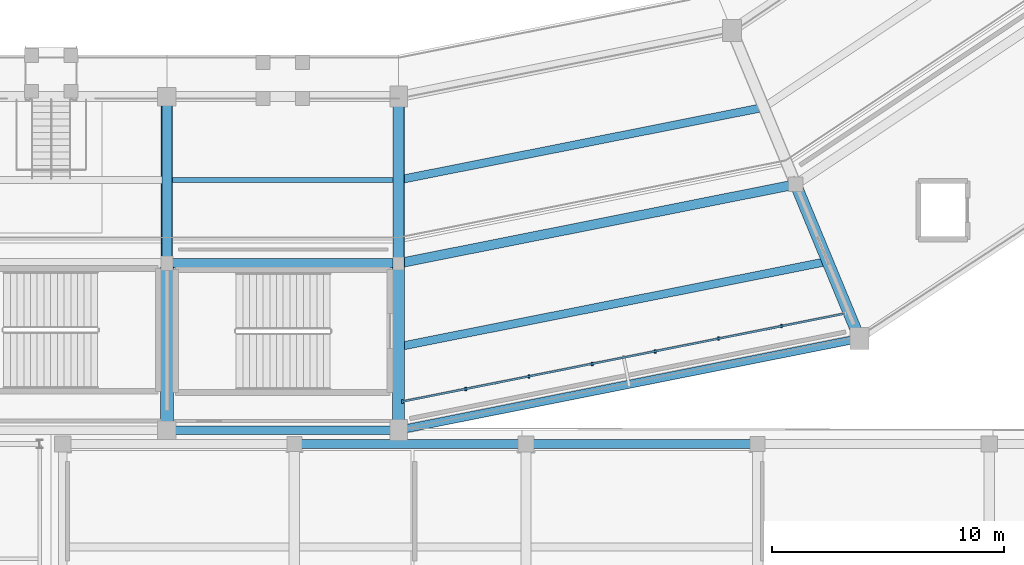
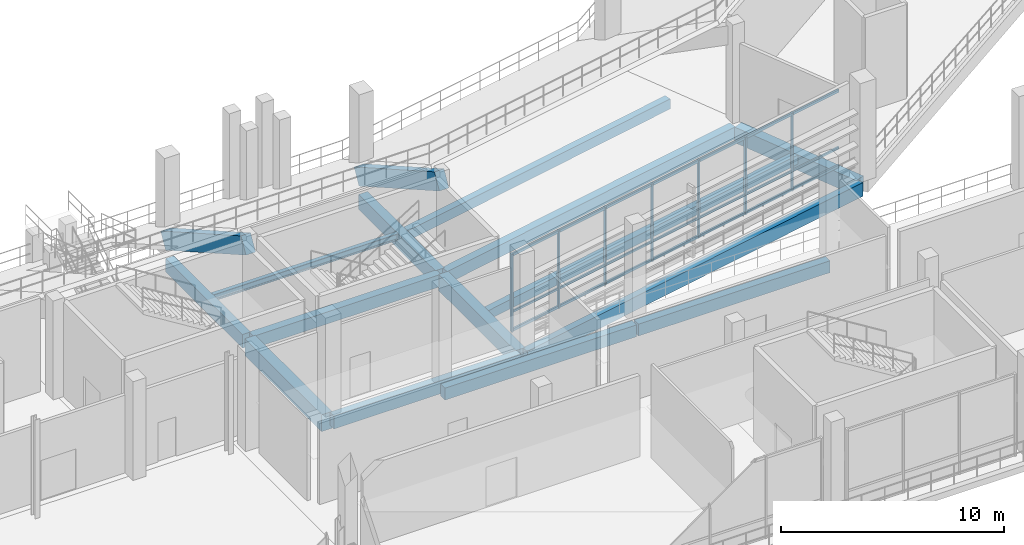
# One storey, part 34 of 127: 16 beams, 10 members, 1 element without a shape of its own.
"""IFC4 building model written with IfcOpenShell, lengths in metres."""

from ifc_helpers import new_model, si_unit, direction, frame, origin, origin_2d, place, context, subcontext, project, spatial, rectangle, i_section, extrude, material, material_profile, profile_set, type_object, element, aggregate, save


model = new_model("IFC4")

# Units and contexts
model_context = context("Model", 3, precision=1e-05, world=origin(), true_north=direction((0.0, 1.0)))
body_context = subcontext(model_context, "Body", "Model", "MODEL_VIEW")
ifc_project = project(units=[si_unit("LENGTHUNIT", "METRE"), si_unit("AREAUNIT", "SQUARE_METRE"), si_unit("VOLUMEUNIT", "CUBIC_METRE"), si_unit("PLANEANGLEUNIT", "RADIAN"), si_unit("MASSUNIT", "GRAM", prefix="KILO")], contexts=[model_context])

# Site, building, storey
site_placement = place(None, origin())
site = spatial("IfcSite", under=ifc_project, at=site_placement, CompositionType="ELEMENT")
building_placement = place(site_placement, origin())
building = spatial("IfcBuilding", under=site, at=building_placement, Name="Candeia Ridge Stadium", CompositionType="ELEMENT")
storey_placement = place(building_placement, frame((0.0, 0.0, 10.800048828125)))
storey = spatial("IfcBuildingStorey", under=building, at=storey_placement, Name="L02", CompositionType="ELEMENT", Elevation=10.800048828125)

# Beams
ifc_material_1 = material(Name="Concrete C45/55", Category="concrete")
ifc_material_profile_1 = material_profile(ifc_material_1, rectangle(XDim=0.5, YDim=0.89990234375, at=origin_2d()), Name="RC500x900", Category="concrete")
ifc_profile_set_1 = profile_set([ifc_material_profile_1], Name="Concrete C45/55")
beam_type_1 = type_object("IfcBeamType", Name="Club Stand Raker Beam RC500x900", PredefinedType="USERDEFINED", material=ifc_profile_set_1)
for number, where, z_axis, x_axis, name in (
    (1, (131.0, 33.39990234375, 0.624267578125), (0.0, -0.869244421404, 0.494382580455), (1.0, 0.0, 0.0), "Stand T2 inclined concrete raker beam 25"),
    (2, (141.0, 33.39990234375, 0.624267578125), (0.0, -0.869244421404, 0.494382580455), (1.0, 0.0, 0.0), "Stand T2 inclined concrete raker beam 26"),
):
    element("IfcBeam", number, at=place(storey_placement, frame(where, z_axis=z_axis, x_axis=x_axis)), inside=storey, type_object=beam_type_1, Name=name, ObjectType="RAKER", PredefinedType="USERDEFINED", context=body_context, shape_type="SweptSolid", body=[
        extrude(rectangle(XDim=0.5, YDim=0.89990234375, at=origin_2d()), origin(), (0.0, 0.0, 1.0), 8.282958984375),
    ])
ifc_material_2 = material(Name="Concrete C40/50", Category="concrete")
ifc_material_profile_2 = material_profile(ifc_material_2, rectangle(XDim=0.35009765625, YDim=0.550048828125, at=origin_2d()), Name="RC350x550", Category="concrete")
ifc_profile_set_2 = profile_set([ifc_material_profile_2], Name="Concrete C40/50")
beam_type_2 = type_object("IfcBeamType", Name="Concourse Concrete Joist RC350x550", PredefinedType="JOIST", material=ifc_profile_set_2)
beam_1_placement = place(storey_placement, frame((141.2177734375, 29.84326171875, -0.53515625), z_axis=(0.980784984607, 0.195091809076, 0.0), x_axis=(-0.195091809076, 0.980784984607, 0.0)))
element("IfcBeam", 3, at=beam_1_placement, inside=storey, type_object=beam_type_2, Name="Concourse secondary joist BM-L02-0431", PredefinedType="JOIST", context=body_context, shape_type="SweptSolid", body=[
    extrude(rectangle(XDim=0.35009765625, YDim=0.550048828125, at=origin_2d()), origin(), (0.0, 0.0, 1.0), 15.63134765625),
])
ifc_material_3 = material(Name="Steel ASTM A572 Grade 50", Category="steel")
ifc_material_profile_3 = material_profile(ifc_material_3, i_section(OverallWidth=0.205078125, OverallDepth=0.35400390625, WebThickness=0.009521484375, FlangeThickness=0.016845703125, FilletRadius=0.014892578125, at=origin_2d()), Name="W360x79", Category="steel")
ifc_profile_set_3 = profile_set([ifc_material_profile_3], Name="Steel ASTM A572 Grade 50")
beam_type_3 = type_object("IfcBeamType", Name="Concourse Secondary Joist W360x79", PredefinedType="JOIST", material=ifc_profile_set_3)
beam_2_placement = place(storey_placement, frame((131.221923828125, 29.800048828125, -0.43701171875), z_axis=(1.0, 0.0, 0.0), x_axis=(0.0, 1.0, 0.0)))
element("IfcBeam", 4, at=beam_2_placement, inside=storey, type_object=beam_type_3, Name="Concourse secondary joist BM-L02-0427", PredefinedType="JOIST", context=body_context, shape_type="SweptSolid", body=[
    extrude(i_section(OverallWidth=0.205078125, OverallDepth=0.35400390625, WebThickness=0.009521484375, FlangeThickness=0.016845703125, FilletRadius=0.014892578125, at=origin_2d()), origin(), (0.0, 0.0, 1.0), 9.55615234375),
])

# Curtain wall, members
ifc_material_4 = material(Name="Aluminium Anodized Warm Bronze", Category="aluminium")
curtain_wall_type = type_object("IfcCurtainWallType", Name="Concourse Recessed Unitised Curtain Wall", PredefinedType="NOTDEFINED", material=ifc_material_4)
curtain_wall_placement = place(storey_placement, origin())
curtain_wall = element("IfcCurtainWall", 5, at=curtain_wall_placement, inside=storey, type_object=curtain_wall_type, Name="Unitised curtain wall CW-BWL-L02-25", PredefinedType="NOTDEFINED")
ifc_material_profile_4 = material_profile(ifc_material_4, rectangle(XDim=0.090087890625, YDim=0.179931640625, at=origin_2d()), Name="CWM-90x180", Category="aluminium")
ifc_profile_set_4 = profile_set([ifc_material_profile_4], Name="Aluminium Anodized Warm Bronze")
member_type_1 = type_object("IfcMemberType", Name="Curtain Wall Primary Mullion 90x180", PredefinedType="MULLION", material=ifc_profile_set_4)
member_1_placement = place(storey_placement, frame((141.176513671875, 20.235107421875, 0.0), z_axis=(0.0, 0.0, 1.0), x_axis=(1.0, 0.0, 0.0)))
member_1 = element("IfcMember", 6, at=member_1_placement, type_object=member_type_1, Name="Curtain wall mullion CW-BWL-L02-25-M0", PredefinedType="MULLION", context=body_context, shape_type="SweptSolid", body=[
    extrude(rectangle(XDim=0.090087890625, YDim=0.179931640625, at=origin_2d()), origin(), (0.0, 0.0, 1.0), 4.2548828125),
])
ifc_material_profile_5 = material_profile(ifc_material_4, rectangle(XDim=0.074951171875, YDim=0.14990234375, at=origin_2d()), Name="CWM-75x150", Category="aluminium")
ifc_profile_set_5 = profile_set([ifc_material_profile_5], Name="Aluminium Anodized Warm Bronze")
member_type_2 = type_object("IfcMemberType", Name="Curtain Wall Secondary Mullion 75x150", PredefinedType="MULLION", material=ifc_profile_set_5)
member_2_placement = place(storey_placement, frame((143.9033203125, 20.777587890625, 0.0), z_axis=(0.0, 0.0, 1.0), x_axis=(1.0, 0.0, 0.0)))
member_2 = element("IfcMember", 7, at=member_2_placement, type_object=member_type_2, Name="Curtain wall mullion CW-BWL-L02-25-M1", PredefinedType="MULLION", context=body_context, shape_type="SweptSolid", body=[
    extrude(rectangle(XDim=0.074951171875, YDim=0.14990234375, at=origin_2d()), origin(), (0.0, 0.0, 1.0), 4.2548828125),
])
member_3_placement = place(storey_placement, frame((146.6298828125, 21.31982421875, 0.0), z_axis=(0.0, 0.0, 1.0), x_axis=(1.0, 0.0, 0.0)))
member_3 = element("IfcMember", 8, at=member_3_placement, type_object=member_type_2, Name="Curtain wall mullion CW-BWL-L02-25-M2", PredefinedType="MULLION", context=body_context, shape_type="SweptSolid", body=[
    extrude(rectangle(XDim=0.074951171875, YDim=0.14990234375, at=origin_2d()), origin(), (0.0, 0.0, 1.0), 4.2548828125),
])
member_4_placement = place(storey_placement, frame((149.356689453125, 21.8623046875, 0.0), z_axis=(0.0, 0.0, 1.0), x_axis=(1.0, 0.0, 0.0)))
member_4 = element("IfcMember", 9, at=member_4_placement, type_object=member_type_2, Name="Curtain wall mullion CW-BWL-L02-25-M3", PredefinedType="MULLION", context=body_context, shape_type="SweptSolid", body=[
    extrude(rectangle(XDim=0.074951171875, YDim=0.14990234375, at=origin_2d()), origin(), (0.0, 0.0, 1.0), 4.2548828125),
])
member_5_placement = place(storey_placement, frame((152.08349609375, 22.404541015625, 0.0), z_axis=(0.0, 0.0, 1.0), x_axis=(1.0, 0.0, 0.0)))
member_5 = element("IfcMember", 10, at=member_5_placement, type_object=member_type_2, Name="Curtain wall mullion CW-BWL-L02-25-M4", PredefinedType="MULLION", context=body_context, shape_type="SweptSolid", body=[
    extrude(rectangle(XDim=0.074951171875, YDim=0.14990234375, at=origin_2d()), origin(), (0.0, 0.0, 1.0), 4.2548828125),
])
member_6_placement = place(storey_placement, frame((154.810302734375, 22.947021484375, 0.0), z_axis=(0.0, 0.0, 1.0), x_axis=(1.0, 0.0, 0.0)))
member_6 = element("IfcMember", 11, at=member_6_placement, type_object=member_type_2, Name="Curtain wall mullion CW-BWL-L02-25-M5", PredefinedType="MULLION", context=body_context, shape_type="SweptSolid", body=[
    extrude(rectangle(XDim=0.074951171875, YDim=0.14990234375, at=origin_2d()), origin(), (0.0, 0.0, 1.0), 4.2548828125),
])
member_7_placement = place(storey_placement, frame((157.537109375, 23.489501953125, 0.0), z_axis=(0.0, 0.0, 1.0), x_axis=(1.0, 0.0, 0.0)))
member_7 = element("IfcMember", 12, at=member_7_placement, type_object=member_type_2, Name="Curtain wall mullion CW-BWL-L02-25-M6", PredefinedType="MULLION", context=body_context, shape_type="SweptSolid", body=[
    extrude(rectangle(XDim=0.074951171875, YDim=0.14990234375, at=origin_2d()), origin(), (0.0, 0.0, 1.0), 4.2548828125),
])
ifc_material_profile_6 = material_profile(ifc_material_4, rectangle(XDim=0.074951171875, YDim=0.110107421875, at=origin_2d()), Name="CWT-75x110", Category="aluminium")
ifc_profile_set_6 = profile_set([ifc_material_profile_6], Name="Aluminium Anodized Warm Bronze")
member_type_3 = type_object("IfcMemberType", Name="Curtain Wall Secondary Transom 75x110", PredefinedType="USERDEFINED", material=ifc_profile_set_6)
member_8_placement = place(storey_placement, frame((141.176513671875, 20.235107421875, 1.063720703125), z_axis=(0.980786160623, 0.195085896803, 0.0), x_axis=(-0.195085896803, 0.980786160623, 0.0)))
member_8 = element("IfcMember", 13, at=member_8_placement, type_object=member_type_3, Name="Curtain wall transom CW-BWL-L02-25-T1", ObjectType="TRANSOM", PredefinedType="USERDEFINED", context=body_context, shape_type="SweptSolid", body=[
    extrude(rectangle(XDim=0.074951171875, YDim=0.110107421875, at=origin_2d()), origin(), (0.0, 0.0, 1.0), 19.46142578125),
])
ifc_material_profile_7 = material_profile(ifc_material_4, rectangle(XDim=0.090087890625, YDim=0.139892578125, at=origin_2d()), Name="CWT-90x140", Category="aluminium")
ifc_profile_set_7 = profile_set([ifc_material_profile_7], Name="Aluminium Anodized Warm Bronze")
member_type_4 = type_object("IfcMemberType", Name="Curtain Wall Transom 90x140", PredefinedType="USERDEFINED", material=ifc_profile_set_7)
member_9_placement = place(storey_placement, frame((141.176513671875, 20.235107421875, 0.070068359375), z_axis=(0.980786160623, 0.195085896803, 0.0), x_axis=(-0.195085896803, 0.980786160623, 0.0)))
member_9 = element("IfcMember", 14, at=member_9_placement, type_object=member_type_4, Name="Curtain wall transom CW-BWL-L02-25-T0", ObjectType="TRANSOM", PredefinedType="USERDEFINED", context=body_context, shape_type="SweptSolid", body=[
    extrude(rectangle(XDim=0.090087890625, YDim=0.139892578125, at=origin_2d()), origin(), (0.0, 0.0, 1.0), 19.46142578125),
])
member_10_placement = place(storey_placement, frame((141.176513671875, 20.235107421875, 4.18505859375), z_axis=(0.980786160623, 0.195085896803, 0.0), x_axis=(-0.195085896803, 0.980786160623, 0.0)))
member_10 = element("IfcMember", 15, at=member_10_placement, type_object=member_type_4, Name="Curtain wall transom CW-BWL-L02-25-T2", ObjectType="TRANSOM", PredefinedType="USERDEFINED", context=body_context, shape_type="SweptSolid", body=[
    extrude(rectangle(XDim=0.090087890625, YDim=0.139892578125, at=origin_2d()), origin(), (0.0, 0.0, 1.0), 19.46142578125),
])
aggregate(curtain_wall, [member_1, member_2, member_3, member_4, member_5, member_6, member_7, member_9, member_8, member_10])

# Beams
ifc_material_profile_8 = material_profile(ifc_material_2, rectangle(XDim=0.35009765625, YDim=0.5, at=origin_2d()), Name="RC350x500", Category="concrete")
ifc_profile_set_8 = profile_set([ifc_material_profile_8], Name="Concrete C40/50")
beam_type_4 = type_object("IfcBeamType", Name="Floor Joist RC350x500", PredefinedType="JOIST", material=ifc_profile_set_8)
beam_3_placement = place(storey_placement, frame((141.2177734375, 22.643310546875, -0.510009765625), z_axis=(0.980784839623, 0.195092537954, 0.0), x_axis=(-0.195092537954, 0.980784839623, 0.0)))
element("IfcBeam", 16, at=beam_3_placement, inside=storey, type_object=beam_type_4, Name="Concourse secondary joist BM-L02-0432", PredefinedType="JOIST", context=body_context, shape_type="SweptSolid", body=[
    extrude(rectangle(XDim=0.35009765625, YDim=0.5, at=origin_2d()), origin(), (0.0, 0.0, 1.0), 18.440673828125),
])
ifc_material_profile_9 = material_profile(ifc_material_2, rectangle(XDim=0.409912109375, YDim=0.659912109375, at=origin_2d()), Name="RC410x660", Category="concrete")
ifc_profile_set_9 = profile_set([ifc_material_profile_9], Name="Concrete C40/50")
beam_type_5 = type_object("IfcBeamType", Name="Frame Girder RC410x660", PredefinedType="BEAM", material=ifc_profile_set_9)
beam_4_placement = place(storey_placement, frame((131.159912109375, 26.199951171875, -0.590087890625), z_axis=(1.0, 0.0, 0.0), x_axis=(0.0, 1.0, 0.0)))
element("IfcBeam", 17, at=beam_4_placement, inside=storey, type_object=beam_type_5, Name="Concourse spine girder BM-L02-0425", PredefinedType="BEAM", context=body_context, shape_type="SweptSolid", body=[
    extrude(rectangle(XDim=0.409912109375, YDim=0.659912109375, at=origin_2d()), origin(), (0.0, 0.0, 1.0), 9.68017578125),
])
beam_5_placement = place(storey_placement, frame((141.156982421875, 26.231201171875, -0.590087890625), z_axis=(0.980783706548, 0.195098234154, 0.0), x_axis=(-0.195098234154, 0.980783706548, 0.0)))
element("IfcBeam", 18, at=beam_5_placement, inside=storey, type_object=beam_type_5, Name="Concourse spine girder BM-L02-0429", PredefinedType="BEAM", context=body_context, shape_type="SweptSolid", body=[
    extrude(rectangle(XDim=0.409912109375, YDim=0.659912109375, at=origin_2d()), origin(), (0.0, 0.0, 1.0), 17.16015625),
])
ifc_material_profile_10 = material_profile(ifc_material_2, rectangle(XDim=0.429931640625, YDim=0.739990234375, at=origin_2d()), Name="RC430x740", Category="concrete")
ifc_profile_set_10 = profile_set([ifc_material_profile_10], Name="Concrete C40/50")
beam_type_6 = type_object("IfcBeamType", Name="Frame Girder RC430x740", PredefinedType="BEAM", material=ifc_profile_set_10)
beam_6_placement = place(storey_placement, frame((131.0, 33.239990234375, -0.630126953125), z_axis=(0.0, -1.0, 0.0), x_axis=(1.0, 0.0, 0.0)))
element("IfcBeam", 19, at=beam_6_placement, inside=storey, type_object=beam_type_6, Name="Bowl radial girder BM-L02-0289", PredefinedType="BEAM", context=body_context, shape_type="SweptSolid", body=[
    extrude(rectangle(XDim=0.429931640625, YDim=0.739990234375, at=origin_2d()), origin(), (0.0, 0.0, 1.0), 6.8798828125),
])
ifc_material_profile_11 = material_profile(ifc_material_1, rectangle(XDim=0.47998046875, YDim=0.820068359375, at=origin_2d()), Name="RC480x820", Category="concrete")
ifc_profile_set_11 = profile_set([ifc_material_profile_11], Name="Concrete C45/55")
beam_type_7 = type_object("IfcBeamType", Name="Frame Girder RC480x820", PredefinedType="BEAM", material=ifc_profile_set_11)
beam_7_placement = place(storey_placement, frame((141.0, 33.239990234375, -0.670166015625), z_axis=(0.0, -1.0, 0.0), x_axis=(1.0, 0.0, 0.0)))
element("IfcBeam", 20, at=beam_7_placement, inside=storey, type_object=beam_type_7, Name="Bowl radial girder BM-L02-0291", PredefinedType="BEAM", context=body_context, shape_type="SweptSolid", body=[
    extrude(rectangle(XDim=0.47998046875, YDim=0.820068359375, at=origin_2d()), origin(), (0.0, 0.0, 1.0), 6.8798828125),
])
ifc_material_profile_12 = material_profile(ifc_material_1, rectangle(XDim=0.5, YDim=0.85009765625, at=origin_2d()), Name="RC500x850", Category="concrete")
ifc_profile_set_12 = profile_set([ifc_material_profile_12], Name="Concrete C45/55")
beam_type_8 = type_object("IfcBeamType", Name="Frame Girder RC500x850", PredefinedType="BEAM", material=ifc_profile_set_12)
beam_8_placement = place(storey_placement, frame((158.20556640625, 29.46240234375, -0.68505859375), z_axis=(0.382681914982, -0.923880161031, 0.0), x_axis=(0.923880161031, 0.382681914982, 0.0)))
element("IfcBeam", 21, at=beam_8_placement, inside=storey, type_object=beam_type_8, Name="Bowl radial girder BM-L02-0294", PredefinedType="BEAM", context=body_context, shape_type="SweptSolid", body=[
    extrude(rectangle(XDim=0.5, YDim=0.85009765625, at=origin_2d()), origin(), (0.0, 0.0, 1.0), 6.8798828125),
])
ifc_material_profile_13 = material_profile(ifc_material_1, rectangle(XDim=0.52001953125, YDim=0.8798828125, at=origin_2d()), Name="RC520x880", Category="concrete")
ifc_profile_set_13 = profile_set([ifc_material_profile_13], Name="Concrete C45/55")
beam_type_9 = type_object("IfcBeamType", Name="Frame Girder RC520x880", PredefinedType="BEAM", material=ifc_profile_set_13)
beam_9_placement = place(storey_placement, frame((141.0, 26.0400390625, -0.699951171875), z_axis=(0.0, -1.0, 0.0), x_axis=(1.0, 0.0, 0.0)))
element("IfcBeam", 22, at=beam_9_placement, inside=storey, type_object=beam_type_9, Name="Bowl radial girder BM-L02-0292", PredefinedType="BEAM", context=body_context, shape_type="SweptSolid", body=[
    extrude(rectangle(XDim=0.52001953125, YDim=0.8798828125, at=origin_2d()), origin(), (0.0, 0.0, 1.0), 6.880126953125),
])
ifc_material_profile_14 = material_profile(ifc_material_1, rectangle(XDim=0.550048828125, YDim=0.919921875, at=origin_2d()), Name="RC550x920", Category="concrete")
ifc_profile_set_14 = profile_set([ifc_material_profile_14], Name="Concrete C45/55")
beam_type_10 = type_object("IfcBeamType", Name="Frame Girder RC550x920", PredefinedType="BEAM", material=ifc_profile_set_14)
beam_10_placement = place(storey_placement, frame((131.0, 26.0400390625, -0.719970703125), z_axis=(0.0, -1.0, 0.0), x_axis=(1.0, 0.0, 0.0)))
element("IfcBeam", 23, at=beam_10_placement, inside=storey, type_object=beam_type_10, Name="Bowl radial girder BM-L02-0290", PredefinedType="BEAM", context=body_context, shape_type="SweptSolid", body=[
    extrude(rectangle(XDim=0.550048828125, YDim=0.919921875, at=origin_2d()), origin(), (0.0, 0.0, 1.0), 6.880126953125),
])
ifc_material_profile_15 = material_profile(ifc_material_1, rectangle(XDim=0.35009765625, YDim=0.75, at=origin_2d()), Name="RC350x750", Category="concrete")
ifc_profile_set_15 = profile_set([ifc_material_profile_15], Name="Concrete C45/55")
beam_type_11 = type_object("IfcBeamType", Name="Spandrel Beam RC350x750", PredefinedType="SPANDREL", material=ifc_profile_set_15)
beam_11_placement = place(storey_placement, frame((141.156982421875, 19.03125, -0.635009765625), z_axis=(0.980786091775, 0.195086242929, 0.0), x_axis=(-0.195086242929, 0.980786091775, 0.0)))
element("IfcBeam", 24, at=beam_11_placement, inside=storey, type_object=beam_type_11, Name="Bowl perimeter spandrel BM-L02-0430", PredefinedType="SPANDREL", context=body_context, shape_type="SweptSolid", body=[
    extrude(rectangle(XDim=0.35009765625, YDim=0.75, at=origin_2d()), origin(), (0.0, 0.0, 1.0), 19.969482421875),
])
ifc_material_profile_16 = material_profile(ifc_material_1, rectangle(XDim=0.360107421875, YDim=0.719970703125, at=origin_2d()), Name="RC360x720", Category="concrete")
ifc_profile_set_16 = profile_set([ifc_material_profile_16], Name="Concrete C45/55")
beam_type_12 = type_object("IfcBeamType", Name="Spandrel Beam RC360x720", PredefinedType="SPANDREL", material=ifc_profile_set_16)
beam_12_placement = place(storey_placement, frame((131.159912109375, 19.0, -0.6201171875), z_axis=(1.0, 0.0, 0.0), x_axis=(0.0, 1.0, 0.0)))
element("IfcBeam", 25, at=beam_12_placement, inside=storey, type_object=beam_type_12, Name="Bowl perimeter spandrel BM-L02-0426", PredefinedType="SPANDREL", context=body_context, shape_type="SweptSolid", body=[
    extrude(rectangle(XDim=0.360107421875, YDim=0.719970703125, at=origin_2d()), origin(), (0.0, 0.0, 1.0), 9.68017578125),
])
ifc_material_profile_17 = material_profile(ifc_material_2, rectangle(XDim=0.39990234375, YDim=0.64990234375, at=origin_2d()), Name="RC400x650", Category="concrete")
ifc_profile_set_17 = profile_set([ifc_material_profile_17], Name="Concrete C40/50")
beam_type_13 = type_object("IfcBeamType", Name="Wing Primary Girder RC400x650", PredefinedType="BEAM", material=ifc_profile_set_17)
for number, where, z_axis, x_axis, name in (
    (26, (136.550048828125, 18.39990234375, -0.5849609375), (1.0, 0.0, 0.0), (0.0, 1.0, 0.0), "Structural girder BM-L02-2169"),
    (27, (146.550048828125, 18.39990234375, -0.5849609375), (1.0, 0.0, 0.0), (0.0, 1.0, 0.0), "Structural girder BM-L02-2173"),
):
    element("IfcBeam", number, at=place(storey_placement, frame(where, z_axis=z_axis, x_axis=x_axis)), inside=storey, type_object=beam_type_13, Name=name, PredefinedType="BEAM", context=body_context, shape_type="SweptSolid", body=[
        extrude(rectangle(XDim=0.39990234375, YDim=0.64990234375, at=origin_2d()), origin(), (0.0, 0.0, 1.0), 9.89990234375),
    ])

save(model, "model.ifc")
